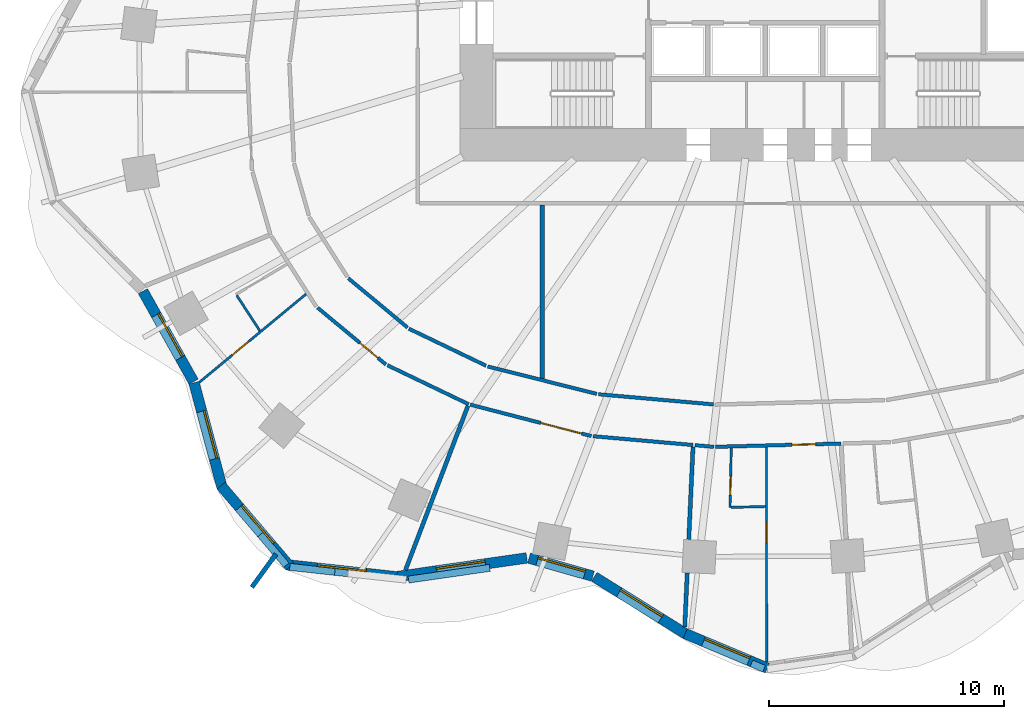
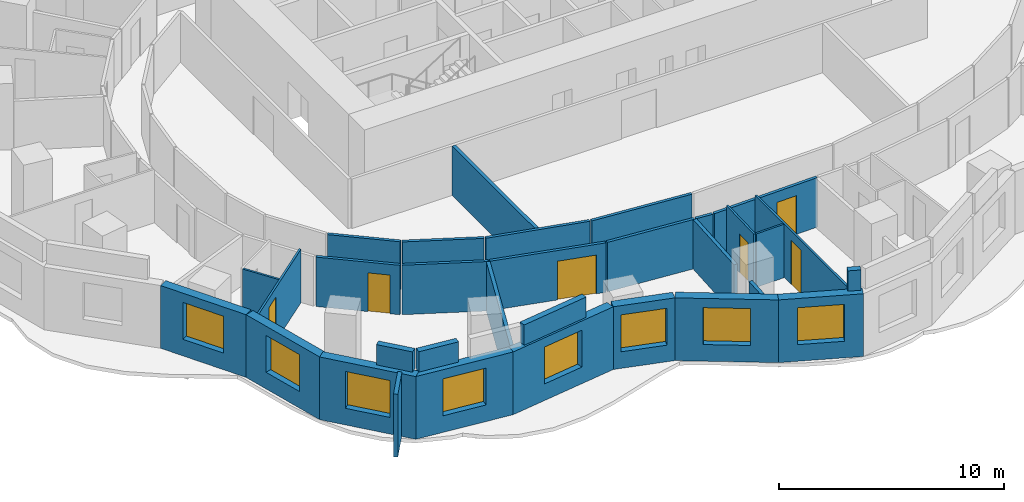
# One storey, part 3 of 11: 32 walls, 8 windows, 6 doors, 14 openings.
"""IFC4 building model written with IfcOpenShell, lengths in metres."""

from ifc_helpers import new_model, si_unit, direction, frame, frame_2d, origin, place, context, subcontext, project, spatial, rectangle, extrude, material, layer, layer_set, type_object, element, fill, save


model = new_model("IFC4")

# Units and contexts
model_context = context("Model", 3, precision=1e-05, world=origin(), true_north=direction((0.0, 1.0)))
body_context = subcontext(model_context, "Body", "Model", "MODEL_VIEW")
ifc_project = project(units=[si_unit("LENGTHUNIT", "METRE"), si_unit("AREAUNIT", "SQUARE_METRE"), si_unit("VOLUMEUNIT", "CUBIC_METRE"), si_unit("PLANEANGLEUNIT", "RADIAN"), si_unit("MASSUNIT", "GRAM", prefix="KILO")], contexts=[model_context])

# Site, building, storey
site_placement = place(None, origin())
site = spatial("IfcSite", under=ifc_project, at=site_placement, CompositionType="ELEMENT")
building_placement = place(site_placement, origin())
building = spatial("IfcBuilding", under=site, at=building_placement, Name="Rubra Terraces Tower", CompositionType="ELEMENT")
storey_placement = place(building_placement, frame((0.0, 0.0, 59.10009765625)))
storey = spatial("IfcBuildingStorey", under=building, at=storey_placement, Name="L12", CompositionType="ELEMENT", Elevation=59.10009765625)

# Walls
ifc_material_1 = material(Name="Twin plasterboard on staggered steel stud, acoustic mineral wool", Category="steel")
ifc_layer_1 = layer(ifc_material_1, 0.175048828125)
ifc_layer_set_1 = layer_set([ifc_layer_1], Name="Twin plasterboard on staggered steel stud, acoustic mineral wool")
wall_type_1 = type_object("IfcWallType", Name="ACOUSTIC PARTY WALL 175", PredefinedType="PARTITIONING", material=ifc_layer_set_1)
wall_1_placement = place(storey_placement, frame((-15.32666015625, -20.418701171875, 0.0), z_axis=(0.0, 0.0, 1.0), x_axis=(0.355489175899, 0.934680397686, 0.0)))
element("IfcWall", 1, at=wall_1_placement, inside=storey, type_object=wall_type_1, Name="PARTITION", PredefinedType="PARTITIONING", context=body_context, shape_type="SweptSolid", body=[
    extrude(rectangle(XDim=7.482421875, YDim=0.175048828125, at=frame_2d((3.7412109375, 0.0))), origin(), (0.0, 0.0, 1.0), 2.679931640625),
])
wall_2_placement = place(storey_placement, frame((-3.428466796875, -22.84521484375, 0.0), z_axis=(0.0, 0.0, 1.0), x_axis=(0.045783501408, 0.998951385703, 0.0)))
element("IfcWall", 2, at=wall_2_placement, inside=storey, type_object=wall_type_1, Name="PARTITION", PredefinedType="PARTITIONING", context=body_context, shape_type="SweptSolid", body=[
    extrude(rectangle(XDim=2.29833984375, YDim=0.175048828125, at=frame_2d((1.149169921875, 0.0))), origin(), (0.0, 0.0, 1.0), 2.679931640625),
])
wall_3_placement = place(storey_placement, frame((-3.257080078125, -19.110595703125, 0.0), z_axis=(0.0, 0.0, 1.0), x_axis=(0.045789384655, 0.998951116048, 0.0)))
element("IfcWall", 3, at=wall_3_placement, inside=storey, type_object=wall_type_1, Name="PARTITION", PredefinedType="PARTITIONING", context=body_context, shape_type="SweptSolid", body=[
    extrude(rectangle(XDim=3.945556640625, YDim=0.175048828125, at=frame_2d((1.97265625, 0.0))), origin(), (0.0, 0.0, 1.0), 2.679931640625),
])
wall_4_placement = place(storey_placement, frame((-9.5, -12.256591796875, 0.0), z_axis=(0.0, 0.0, 1.0), x_axis=(0.0, 1.0, 0.0)))
element("IfcWall", 4, at=wall_4_placement, inside=storey, type_object=wall_type_1, Name="PARTITION", PredefinedType="PARTITIONING", context=body_context, shape_type="SweptSolid", body=[
    extrude(rectangle(XDim=7.381591796875, YDim=0.175048828125, at=frame_2d((3.69091796875, 0.0))), origin(), (0.0, 0.0, 1.0), 2.679931640625),
])

# Wall, opening, window
ifc_material_2 = material(Name="Brick masonry red-brown", Category="masonry")
ifc_layer_2 = layer(ifc_material_2, 0.449951171875)
ifc_layer_set_2 = layer_set([ifc_layer_2], Name="Brick masonry red-brown")
wall_type_2 = type_object("IfcWallType", Name="Brick facade wall 450", PredefinedType="SOLIDWALL", material=ifc_layer_set_2)
wall_5_placement = place(storey_placement, frame((-26.513671875, -8.541015625, 0.0), z_axis=(0.0, 0.0, 1.0), x_axis=(0.488504028898, -0.87256163894, 0.0)))
wall_5 = element("IfcWall", 5, at=wall_5_placement, inside=storey, type_object=wall_type_2, Name="Facade wall L12 bay 23", PredefinedType="SOLIDWALL", context=body_context, shape_type="SweptSolid", body=[
    extrude(rectangle(XDim=4.41552734375, YDim=0.449951171875, at=frame_2d((2.207763671875, 0.0))), origin(), (0.0, 0.0, 1.0), 3.39990234375),
])
opening_1_placement = place(wall_5_placement, frame((1.15771484375, 0.0, 0.89990234375)))
opening_1 = element("IfcOpeningElement", 6, at=opening_1_placement, cuts=wall_5, Name="Opening W1", PredefinedType="OPENING", context=body_context, shape_type="SweptSolid", body=[
    extrude(rectangle(XDim=2.10009765625, YDim=2.0, at=frame_2d((1.050048828125, 1.0))), frame((0.0, 0.23486328125, 0.0), z_axis=(0.0, -1.0, 0.0), x_axis=(1.0, 0.0, 0.0)), (0.0, 0.0, 1.0), 0.469970703125),
])
ifc_material_3 = material(Name="Clear glass in aluminium frame", Category="aluminium")
window_type = type_object("IfcWindowType", Name="Fixed deep-set window 2100 x 2000", PartitioningType="SINGLE_PANEL", PredefinedType="WINDOW", material=ifc_material_3)
window_1_placement = place(opening_1_placement, origin())
window_1 = element("IfcWindow", 7, at=window_1_placement, inside=storey, type_object=window_type, Name="Window L12 bay 23", OverallHeight=2.0, OverallWidth=2.10009765625, PartitioningType="SINGLE_PANEL", PredefinedType="WINDOW", context=body_context, shape_type="SweptSolid", body=[
    extrude(rectangle(XDim=2.10009765625, YDim=2.0, at=frame_2d((1.050048828125, 1.0))), frame((0.0, 0.135009765625, 0.0), z_axis=(0.0, -1.0, 0.0), x_axis=(1.0, 0.0, 0.0)), (0.0, 0.0, 1.0), 0.06005859375),
])
fill(opening_1, window_1)

wall_6_placement = place(storey_placement, frame((-24.33740234375, -12.439453125, 0.0), z_axis=(0.0, 0.0, 1.0), x_axis=(0.258441377569, -0.966026942875, 0.0)))
wall_6 = element("IfcWall", 8, at=wall_6_placement, inside=storey, type_object=wall_type_2, Name="Facade wall L12 bay 24", PredefinedType="SOLIDWALL", context=body_context, shape_type="SweptSolid", body=[
    extrude(rectangle(XDim=4.6240234375, YDim=0.449951171875, at=frame_2d((2.31201171875, 0.0))), origin(), (0.0, 0.0, 1.0), 3.39990234375),
])
opening_2_placement = place(wall_6_placement, frame((1.26220703125, 0.0, 0.89990234375)))
opening_2 = element("IfcOpeningElement", 9, at=opening_2_placement, cuts=wall_6, Name="Opening W1", PredefinedType="OPENING", context=body_context, shape_type="SweptSolid", body=[
    extrude(rectangle(XDim=2.10009765625, YDim=2.0, at=frame_2d((1.050048828125, 1.0))), frame((0.0, 0.23486328125, 0.0), z_axis=(0.0, -1.0, 0.0), x_axis=(1.0, 0.0, 0.0)), (0.0, 0.0, 1.0), 0.469970703125),
])
window_2_placement = place(opening_2_placement, origin())
window_2 = element("IfcWindow", 10, at=window_2_placement, inside=storey, type_object=window_type, Name="Window L12 bay 24", OverallHeight=2.0, OverallWidth=2.10009765625, PartitioningType="SINGLE_PANEL", PredefinedType="WINDOW", context=body_context, shape_type="SweptSolid", body=[
    extrude(rectangle(XDim=2.10009765625, YDim=2.0, at=frame_2d((1.050048828125, 1.0))), frame((0.0, 0.135009765625, 0.0), z_axis=(0.0, -1.0, 0.0), x_axis=(1.0, 0.0, 0.0)), (0.0, 0.0, 1.0), 0.06005859375),
])
fill(opening_2, window_2)

wall_7_placement = place(storey_placement, frame((-23.186767578125, -16.8251953125, 0.0), z_axis=(0.0, 0.0, 1.0), x_axis=(0.648462985992, -0.761246186065, 0.0)))
wall_7 = element("IfcWall", 11, at=wall_7_placement, inside=storey, type_object=wall_type_2, Name="Facade wall L12 bay 25", PredefinedType="SOLIDWALL", context=body_context, shape_type="SweptSolid", body=[
    extrude(rectangle(XDim=4.53076171875, YDim=0.449951171875, at=frame_2d((2.265380859375, 0.0))), origin(), (0.0, 0.0, 1.0), 3.39990234375),
])
opening_3_placement = place(wall_7_placement, frame((1.21533203125, 0.0, 0.89990234375)))
opening_3 = element("IfcOpeningElement", 12, at=opening_3_placement, cuts=wall_7, Name="Opening W1", PredefinedType="OPENING", context=body_context, shape_type="SweptSolid", body=[
    extrude(rectangle(XDim=2.10009765625, YDim=2.0, at=frame_2d((1.050048828125, 1.0))), frame((0.0, 0.23486328125, 0.0), z_axis=(0.0, -1.0, 0.0), x_axis=(1.0, 0.0, 0.0)), (0.0, 0.0, 1.0), 0.469970703125),
])
window_3_placement = place(opening_3_placement, origin())
window_3 = element("IfcWindow", 13, at=window_3_placement, inside=storey, type_object=window_type, Name="Window L12 bay 25", OverallHeight=2.0, OverallWidth=2.10009765625, PartitioningType="SINGLE_PANEL", PredefinedType="WINDOW", context=body_context, shape_type="SweptSolid", body=[
    extrude(rectangle(XDim=2.10009765625, YDim=2.0, at=frame_2d((1.050048828125, 1.0))), frame((0.0, 0.135009765625, 0.0), z_axis=(0.0, -1.0, 0.0), x_axis=(1.0, 0.0, 0.0)), (0.0, 0.0, 1.0), 0.06005859375),
])
fill(opening_3, window_3)

wall_8_placement = place(storey_placement, frame((-20.3955078125, -20.1962890625, 0.0), z_axis=(0.0, 0.0, 1.0), x_axis=(0.994063142291, -0.108804729393, 0.0)))
wall_8 = element("IfcWall", 14, at=wall_8_placement, inside=storey, type_object=wall_type_2, Name="Facade wall L12 bay 26", PredefinedType="SOLIDWALL", context=body_context, shape_type="SweptSolid", body=[
    extrude(rectangle(XDim=4.727783203125, YDim=0.449951171875, at=frame_2d((2.36376953125, 0.0))), origin(), (0.0, 0.0, 1.0), 3.39990234375),
])
opening_4_placement = place(wall_8_placement, frame((1.31396484375, 0.0, 0.89990234375)))
opening_4 = element("IfcOpeningElement", 15, at=opening_4_placement, cuts=wall_8, Name="Opening W1", PredefinedType="OPENING", context=body_context, shape_type="SweptSolid", body=[
    extrude(rectangle(XDim=2.10009765625, YDim=2.0, at=frame_2d((1.050048828125, 1.0))), frame((0.0, 0.23486328125, 0.0), z_axis=(0.0, -1.0, 0.0), x_axis=(1.0, 0.0, 0.0)), (0.0, 0.0, 1.0), 0.469970703125),
])
window_4_placement = place(opening_4_placement, origin())
window_4 = element("IfcWindow", 16, at=window_4_placement, inside=storey, type_object=window_type, Name="Window L12 bay 26", OverallHeight=2.0, OverallWidth=2.10009765625, PartitioningType="SINGLE_PANEL", PredefinedType="WINDOW", context=body_context, shape_type="SweptSolid", body=[
    extrude(rectangle(XDim=2.10009765625, YDim=2.0, at=frame_2d((1.050048828125, 1.0))), frame((0.0, 0.135009765625, 0.0), z_axis=(0.0, -1.0, 0.0), x_axis=(1.0, 0.0, 0.0)), (0.0, 0.0, 1.0), 0.06005859375),
])
fill(opening_4, window_4)

wall_9_placement = place(storey_placement, frame((-15.752197265625, -20.71142578125, 0.0), z_axis=(0.0, 0.0, 1.0), x_axis=(0.989761192351, 0.142733255115, 0.0)))
wall_9 = element("IfcWall", 17, at=wall_9_placement, inside=storey, type_object=wall_type_2, Name="Facade wall L12 bay 27", PredefinedType="SOLIDWALL", context=body_context, shape_type="SweptSolid", body=[
    extrude(rectangle(XDim=5.653076171875, YDim=0.449951171875, at=frame_2d((2.82666015625, 0.0))), origin(), (0.0, 0.0, 1.0), 3.39990234375),
])
opening_5_placement = place(wall_9_placement, frame((1.776611328125, 0.0, 0.89990234375)))
opening_5 = element("IfcOpeningElement", 18, at=opening_5_placement, cuts=wall_9, Name="Opening W1", PredefinedType="OPENING", context=body_context, shape_type="SweptSolid", body=[
    extrude(rectangle(XDim=2.10009765625, YDim=2.0, at=frame_2d((1.050048828125, 1.0))), frame((0.0, 0.23486328125, 0.0), z_axis=(0.0, -1.0, 0.0), x_axis=(1.0, 0.0, 0.0)), (0.0, 0.0, 1.0), 0.469970703125),
])
window_5_placement = place(opening_5_placement, origin())
window_5 = element("IfcWindow", 19, at=window_5_placement, inside=storey, type_object=window_type, Name="Window L12 bay 27", OverallHeight=2.0, OverallWidth=2.10009765625, PartitioningType="SINGLE_PANEL", PredefinedType="WINDOW", context=body_context, shape_type="SweptSolid", body=[
    extrude(rectangle(XDim=2.10009765625, YDim=2.0, at=frame_2d((1.050048828125, 1.0))), frame((0.0, 0.135009765625, 0.0), z_axis=(0.0, -1.0, 0.0), x_axis=(1.0, 0.0, 0.0)), (0.0, 0.0, 1.0), 0.06005859375),
])
fill(opening_5, window_5)

wall_10_placement = place(storey_placement, frame((-10.063232421875, -19.910888671875, 0.0), z_axis=(0.0, 0.0, 1.0), x_axis=(0.961982029567, -0.273112751057, 0.0)))
wall_10 = element("IfcWall", 20, at=wall_10_placement, inside=storey, type_object=wall_type_2, Name="Facade wall L12 bay 28", PredefinedType="SOLIDWALL", context=body_context, shape_type="SweptSolid", body=[
    extrude(rectangle(XDim=2.827392578125, YDim=0.449951171875, at=frame_2d((1.41357421875, 0.0))), origin(), (0.0, 0.0, 1.0), 3.39990234375),
])
opening_6_placement = place(wall_10_placement, frame((0.36376953125, 0.0, 0.89990234375)))
opening_6 = element("IfcOpeningElement", 21, at=opening_6_placement, cuts=wall_10, Name="Opening W1", PredefinedType="OPENING", context=body_context, shape_type="SweptSolid", body=[
    extrude(rectangle(XDim=2.10009765625, YDim=2.0, at=frame_2d((1.050048828125, 1.0))), frame((0.0, 0.23486328125, 0.0), z_axis=(0.0, -1.0, 0.0), x_axis=(1.0, 0.0, 0.0)), (0.0, 0.0, 1.0), 0.469970703125),
])
window_6_placement = place(opening_6_placement, origin())
window_6 = element("IfcWindow", 22, at=window_6_placement, inside=storey, type_object=window_type, Name="Window L12 bay 28", OverallHeight=2.0, OverallWidth=2.10009765625, PartitioningType="SINGLE_PANEL", PredefinedType="WINDOW", context=body_context, shape_type="SweptSolid", body=[
    extrude(rectangle(XDim=2.10009765625, YDim=2.0, at=frame_2d((1.050048828125, 1.0))), frame((0.0, 0.135009765625, 0.0), z_axis=(0.0, -1.0, 0.0), x_axis=(1.0, 0.0, 0.0)), (0.0, 0.0, 1.0), 0.06005859375),
])
fill(opening_6, window_6)

wall_11_placement = place(storey_placement, frame((-7.28564453125, -20.70849609375, 0.0), z_axis=(0.0, 0.0, 1.0), x_axis=(0.848420894374, -0.529322194878, 0.0)))
wall_11 = element("IfcWall", 23, at=wall_11_placement, inside=storey, type_object=wall_type_2, Name="Facade wall L12 bay 29", PredefinedType="SOLIDWALL", context=body_context, shape_type="SweptSolid", body=[
    extrude(rectangle(XDim=4.60595703125, YDim=0.449951171875, at=frame_2d((2.302978515625, 0.0))), origin(), (0.0, 0.0, 1.0), 3.39990234375),
])
opening_7_placement = place(wall_11_placement, frame((1.2529296875, 0.0, 0.89990234375)))
opening_7 = element("IfcOpeningElement", 24, at=opening_7_placement, cuts=wall_11, Name="Opening W1", PredefinedType="OPENING", context=body_context, shape_type="SweptSolid", body=[
    extrude(rectangle(XDim=2.10009765625, YDim=2.0, at=frame_2d((1.050048828125, 1.0))), frame((0.0, 0.23486328125, 0.0), z_axis=(0.0, -1.0, 0.0), x_axis=(1.0, 0.0, 0.0)), (0.0, 0.0, 1.0), 0.469970703125),
])
window_7_placement = place(opening_7_placement, origin())
window_7 = element("IfcWindow", 25, at=window_7_placement, inside=storey, type_object=window_type, Name="Window L12 bay 29", OverallHeight=2.0, OverallWidth=2.10009765625, PartitioningType="SINGLE_PANEL", PredefinedType="WINDOW", context=body_context, shape_type="SweptSolid", body=[
    extrude(rectangle(XDim=2.10009765625, YDim=2.0, at=frame_2d((1.050048828125, 1.0))), frame((0.0, 0.135009765625, 0.0), z_axis=(0.0, -1.0, 0.0), x_axis=(1.0, 0.0, 0.0)), (0.0, 0.0, 1.0), 0.06005859375),
])
fill(opening_7, window_7)

wall_12_placement = place(storey_placement, frame((-3.409912109375, -23.130126953125, 0.0), z_axis=(0.0, 0.0, 1.0), x_axis=(0.921914994676, -0.387392233521, 0.0)))
wall_12 = element("IfcWall", 26, at=wall_12_placement, inside=storey, type_object=wall_type_2, Name="Facade wall L12 bay 30", PredefinedType="SOLIDWALL", context=body_context, shape_type="SweptSolid", body=[
    extrude(rectangle(XDim=3.793212890625, YDim=0.449951171875, at=frame_2d((1.896484375, 0.0))), origin(), (0.0, 0.0, 1.0), 3.39990234375),
])
opening_8_placement = place(wall_12_placement, frame((0.8466796875, 0.0, 0.89990234375)))
opening_8 = element("IfcOpeningElement", 27, at=opening_8_placement, cuts=wall_12, Name="Opening W1", PredefinedType="OPENING", context=body_context, shape_type="SweptSolid", body=[
    extrude(rectangle(XDim=2.10009765625, YDim=2.0, at=frame_2d((1.050048828125, 1.0))), frame((0.0, 0.23486328125, 0.0), z_axis=(0.0, -1.0, 0.0), x_axis=(1.0, 0.0, 0.0)), (0.0, 0.0, 1.0), 0.469970703125),
])
window_8_placement = place(opening_8_placement, origin())
window_8 = element("IfcWindow", 28, at=window_8_placement, inside=storey, type_object=window_type, Name="Window L12 bay 30", OverallHeight=2.0, OverallWidth=2.10009765625, PartitioningType="SINGLE_PANEL", PredefinedType="WINDOW", context=body_context, shape_type="SweptSolid", body=[
    extrude(rectangle(XDim=2.10009765625, YDim=2.0, at=frame_2d((1.050048828125, 1.0))), frame((0.0, 0.135009765625, 0.0), z_axis=(0.0, -1.0, 0.0), x_axis=(1.0, 0.0, 0.0)), (0.0, 0.0, 1.0), 0.06005859375),
])
fill(opening_8, window_8)

# Walls
ifc_layer_3 = layer(ifc_material_2, 0.300048828125)
ifc_layer_set_3 = layer_set([ifc_layer_3], Name="Brick masonry red-brown")
wall_type_3 = type_object("IfcWallType", Name="Brick parapet 300", PredefinedType="PARAPET", material=ifc_layer_set_3)
wall_13_placement = place(storey_placement, frame((-21.5126953125, -18.906005859375, 3.599853515625), z_axis=(0.0, 0.0, 1.0), x_axis=(0.648451151452, -0.761256267088, 0.0)))
element("IfcWall", 29, at=wall_13_placement, inside=storey, type_object=wall_type_3, Name="Parapet L12 bay 25", PredefinedType="PARAPET", context=body_context, shape_type="SweptSolid", body=[
    extrude(rectangle(XDim=1.7119140625, YDim=0.300048828125, at=frame_2d((0.85595703125, 0.0))), origin(), (0.0, 0.0, 1.0), 1.10009765625),
])
wall_14_placement = place(storey_placement, frame((-20.25537109375, -20.287109375, 3.599853515625), z_axis=(0.0, 0.0, 1.0), x_axis=(0.994062724773, -0.108808543863, 0.0)))
element("IfcWall", 30, at=wall_14_placement, inside=storey, type_object=wall_type_3, Name="Parapet L12 bay 26", PredefinedType="PARAPET", context=body_context, shape_type="SweptSolid", body=[
    extrude(rectangle(XDim=1.931884765625, YDim=0.300048828125, at=frame_2d((0.9658203125, 0.0))), origin(), (0.0, 0.0, 1.0), 1.10009765625),
])
wall_15_placement = place(storey_placement, frame((-15.201171875, -20.827880859375, 3.599853515625), z_axis=(0.0, 0.0, 1.0), x_axis=(0.989761856496, 0.142728649634, 0.0)))
element("IfcWall", 31, at=wall_15_placement, inside=storey, type_object=wall_type_3, Name="Parapet L12 bay 27", PredefinedType="PARAPET", context=body_context, shape_type="SweptSolid", body=[
    extrude(rectangle(XDim=3.503173828125, YDim=0.300048828125, at=frame_2d((1.75146484375, 0.0))), origin(), (0.0, 0.0, 1.0), 1.10009765625),
])
wall_16_placement = place(storey_placement, frame((-0.585693359375, -24.398193359375, 3.599853515625), z_axis=(0.0, 0.0, 1.0), x_axis=(0.921949320844, -0.387310534062, 0.0)))
element("IfcWall", 32, at=wall_16_placement, inside=storey, type_object=wall_type_3, Name="Parapet L12 bay 30", PredefinedType="PARAPET", context=body_context, shape_type="SweptSolid", body=[
    extrude(rectangle(XDim=0.5849609375, YDim=0.300048828125, at=frame_2d((0.29248046875, 0.0))), origin(), (0.0, 0.0, 1.0), 1.10009765625),
])
ifc_layer_4 = layer(ifc_material_2, 0.199951171875)
ifc_layer_set_4 = layer_set([ifc_layer_4], Name="Brick masonry red-brown")
wall_type_4 = type_object("IfcWallType", Name="Brick wind fin 200", PredefinedType="SOLIDWALL", material=ifc_layer_set_4)
wall_17_placement = place(storey_placement, frame((-20.845947265625, -19.739013671875, 0.0), z_axis=(0.0, 0.0, 1.0), x_axis=(-0.587607490034, -0.809146116382, 0.0)))
element("IfcWall", 33, at=wall_17_placement, inside=storey, type_object=wall_type_4, Name="Wind fin L12 15", PredefinedType="SOLIDWALL", context=body_context, shape_type="SweptSolid", body=[
    extrude(rectangle(XDim=1.75, YDim=0.199951171875, at=frame_2d((0.875, 0.0))), origin(), (0.0, 0.0, 1.0), 3.39990234375),
])

# Wall, opening, door
ifc_material_4 = material(Name="Plasterboard on steel stud, mineral wool infill", Category="steel")
ifc_layer_5 = layer(ifc_material_4, 0.14990234375)
ifc_layer_set_5 = layer_set([ifc_layer_5], Name="Plasterboard on steel stud, mineral wool infill")
wall_type_5 = type_object("IfcWallType", Name="CORRIDOR PARTITION 150", PredefinedType="PARTITIONING", material=ifc_layer_set_5)
wall_18_placement = place(storey_placement, frame((-19.07421875, -9.2412109375, 0.0), z_axis=(0.0, 0.0, 1.0), x_axis=(0.768812565259, -0.639474189863, 0.0)))
wall_18 = element("IfcWall", 34, at=wall_18_placement, inside=storey, type_object=wall_type_5, Name="PARTITION", PredefinedType="PARTITIONING", context=body_context, shape_type="SweptSolid", body=[
    extrude(rectangle(XDim=3.788330078125, YDim=0.14990234375, at=frame_2d((1.89404296875, 0.0))), origin(), (0.0, 0.0, 1.0), 2.679931640625),
])
opening_9_placement = place(wall_18_placement, frame((2.35009765625, 0.0, 0.0)))
opening_9 = element("IfcOpeningElement", 35, at=opening_9_placement, cuts=wall_18, Name="Opening 12-112", PredefinedType="OPENING", context=body_context, shape_type="SweptSolid", body=[
    extrude(rectangle(XDim=1.0, YDim=2.10009765625, at=frame_2d((0.5, 1.050048828125))), frame((0.0, 0.0849609375, 0.0), z_axis=(0.0, -1.0, 0.0), x_axis=(1.0, 0.0, 0.0)), (0.0, 0.0, 1.0), 0.169921875),
])
ifc_material_5 = material(Name="Painted timber door leaf", Category="wood")
door_type_1 = type_object("IfcDoorType", Name="ROOM DOOR 1000 X 2100", OperationType="SINGLE_SWING_LEFT", PredefinedType="DOOR", material=ifc_material_5)
door_1_placement = place(opening_9_placement, origin())
door_1 = element("IfcDoor", 36, at=door_1_placement, inside=storey, type_object=door_type_1, Name="DOOR 12-112", OperationType="SINGLE_SWING_RIGHT", OverallHeight=2.10009765625, OverallWidth=1.0, PredefinedType="DOOR", context=body_context, shape_type="SweptSolid", body=[
    extrude(rectangle(XDim=1.0, YDim=2.10009765625, at=frame_2d((0.5, 1.050048828125))), frame((0.0, 0.02490234375, 0.0), z_axis=(0.0, -1.0, 0.0), x_axis=(1.0, 0.0, 0.0)), (0.0, 0.0, 1.0), 0.050048828125),
])
fill(opening_9, door_1)

# Wall
wall_19_placement = place(storey_placement, frame((-16.093994140625, -11.6962890625, 0.0), z_axis=(0.0, 0.0, 1.0), x_axis=(0.901437528344, -0.432909208141, 0.0)))
element("IfcWall", 37, at=wall_19_placement, inside=storey, type_object=wall_type_5, Name="PARTITION", PredefinedType="PARTITIONING", context=body_context, shape_type="SweptSolid", body=[
    extrude(rectangle(XDim=3.83154296875, YDim=0.14990234375, at=frame_2d((1.915771484375, 0.0))), origin(), (0.0, 0.0, 1.0), 2.679931640625),
])

# Wall, opening, door
wall_20_placement = place(storey_placement, frame((-12.5673828125, -13.373779296875, 0.0), z_axis=(0.0, 0.0, 1.0), x_axis=(0.96798041907, -0.251025712423, 0.0)))
wall_20 = element("IfcWall", 38, at=wall_20_placement, inside=storey, type_object=wall_type_5, Name="PARTITION", PredefinedType="PARTITIONING", context=body_context, shape_type="SweptSolid", body=[
    extrude(rectangle(XDim=5.33251953125, YDim=0.14990234375, at=frame_2d((2.666259765625, 0.0))), origin(), (0.0, 0.0, 1.0), 2.679931640625),
])
opening_10_placement = place(wall_20_placement, frame((3.10009765625, 0.0, 0.0)))
opening_10 = element("IfcOpeningElement", 39, at=opening_10_placement, cuts=wall_20, Name="Opening 12-113", PredefinedType="OPENING", context=body_context, shape_type="SweptSolid", body=[
    extrude(rectangle(XDim=1.800048828125, YDim=2.10009765625, at=frame_2d((0.89990234375, 1.050048828125))), frame((0.0, 0.0849609375, 0.0), z_axis=(0.0, -1.0, 0.0), x_axis=(1.0, 0.0, 0.0)), (0.0, 0.0, 1.0), 0.169921875),
])
ifc_material_6 = material(Name="Painted timber door leaf, double", Category="wood")
door_type_2 = type_object("IfcDoorType", Name="ROOM DOUBLE DOOR 1800 X 2100", OperationType="DOUBLE_DOOR_SINGLE_SWING", PredefinedType="DOOR", material=ifc_material_6)
door_2_placement = place(opening_10_placement, origin())
door_2 = element("IfcDoor", 40, at=door_2_placement, inside=storey, type_object=door_type_2, Name="DOOR 12-113", OperationType="DOUBLE_DOOR_SINGLE_SWING", OverallHeight=2.10009765625, OverallWidth=1.800048828125, PredefinedType="DOOR", context=body_context, shape_type="SweptSolid", body=[
    extrude(rectangle(XDim=1.800048828125, YDim=2.10009765625, at=frame_2d((0.89990234375, 1.050048828125))), frame((0.0, 0.02490234375, 0.0), z_axis=(0.0, -1.0, 0.0), x_axis=(1.0, 0.0, 0.0)), (0.0, 0.0, 1.0), 0.050048828125),
])
fill(opening_10, door_2)

# Walls
wall_21_placement = place(storey_placement, frame((-7.330810546875, -14.718994140625, 0.0), z_axis=(0.0, 0.0, 1.0), x_axis=(0.996138963942, -0.087790458003, 0.0)))
element("IfcWall", 41, at=wall_21_placement, inside=storey, type_object=wall_type_5, Name="PARTITION", PredefinedType="PARTITIONING", context=body_context, shape_type="SweptSolid", body=[
    extrude(rectangle(XDim=4.2744140625, YDim=0.14990234375, at=frame_2d((2.13720703125, 0.0))), origin(), (0.0, 0.0, 1.0), 2.679931640625),
])
wall_22_placement = place(storey_placement, frame((-2.998291015625, -15.100830078125, 0.0), z_axis=(0.0, 0.0, 1.0), x_axis=(0.996142993613, -0.087744722213, 0.0)))
element("IfcWall", 42, at=wall_22_placement, inside=storey, type_object=wall_type_5, Name="PARTITION", PredefinedType="PARTITIONING", context=body_context, shape_type="SweptSolid", body=[
    extrude(rectangle(XDim=0.8125, YDim=0.14990234375, at=frame_2d((0.40625, 0.0))), origin(), (0.0, 0.0, 1.0), 2.679931640625),
])

# Wall, opening, door
wall_23_placement = place(storey_placement, frame((-2.114013671875, -15.170166015625, 0.0), z_axis=(0.0, 0.0, 1.0), x_axis=(0.99966176809, 0.02600671875, 0.0)))
wall_23 = element("IfcWall", 43, at=wall_23_placement, inside=storey, type_object=wall_type_5, Name="PARTITION", PredefinedType="PARTITIONING", context=body_context, shape_type="SweptSolid", body=[
    extrude(rectangle(XDim=5.350830078125, YDim=0.14990234375, at=frame_2d((2.67529296875, 0.0))), origin(), (0.0, 0.0, 1.0), 2.679931640625),
])
opening_11_placement = place(wall_23_placement, frame((3.260009765625, 0.0, 0.0)))
opening_11 = element("IfcOpeningElement", 44, at=opening_11_placement, cuts=wall_23, Name="Opening 12-116", PredefinedType="OPENING", context=body_context, shape_type="SweptSolid", body=[
    extrude(rectangle(XDim=1.0, YDim=2.10009765625, at=frame_2d((0.5, 1.050048828125))), frame((0.0, 0.0849609375, 0.0), z_axis=(0.0, -1.0, 0.0), x_axis=(1.0, 0.0, 0.0)), (0.0, 0.0, 1.0), 0.169921875),
])
door_3_placement = place(opening_11_placement, origin())
door_3 = element("IfcDoor", 45, at=door_3_placement, inside=storey, type_object=door_type_1, Name="DOOR 12-116", OperationType="SINGLE_SWING_RIGHT", OverallHeight=2.10009765625, OverallWidth=1.0, PredefinedType="DOOR", context=body_context, shape_type="SweptSolid", body=[
    extrude(rectangle(XDim=1.0, YDim=2.10009765625, at=frame_2d((0.5, 1.050048828125))), frame((0.0, 0.02490234375, 0.0), z_axis=(0.0, -1.0, 0.0), x_axis=(1.0, 0.0, 0.0)), (0.0, 0.0, 1.0), 0.050048828125),
])
fill(opening_11, door_3)

# Walls
wall_24_placement = place(storey_placement, frame((-2.207763671875, -13.363525390625, 0.0), z_axis=(0.0, 0.0, 1.0), x_axis=(-0.996134962793, 0.087835846335, 0.0)))
element("IfcWall", 46, at=wall_24_placement, inside=storey, type_object=wall_type_5, Name="PARTITION", PredefinedType="PARTITIONING", context=body_context, shape_type="SweptSolid", body=[
    extrude(rectangle(XDim=4.9169921875, YDim=0.14990234375, at=frame_2d((2.45849609375, 0.0))), origin(), (0.0, 0.0, 1.0), 2.679931640625),
])
wall_25_placement = place(storey_placement, frame((-7.178466796875, -12.91357421875, 0.0), z_axis=(0.0, 0.0, 1.0), x_axis=(-0.969983523639, 0.243170647628, 0.0)))
element("IfcWall", 47, at=wall_25_placement, inside=storey, type_object=wall_type_5, Name="PARTITION", PredefinedType="PARTITIONING", context=body_context, shape_type="SweptSolid", body=[
    extrude(rectangle(XDim=4.7939453125, YDim=0.14990234375, at=frame_2d((2.39697265625, 0.0))), origin(), (0.0, 0.0, 1.0), 2.679931640625),
])
wall_26_placement = place(storey_placement, frame((-11.896240234375, -11.71533203125, 0.0), z_axis=(0.0, 0.0, 1.0), x_axis=(-0.901466605799, 0.432848655571, 0.0)))
element("IfcWall", 48, at=wall_26_placement, inside=storey, type_object=wall_type_5, Name="PARTITION", PredefinedType="PARTITIONING", context=body_context, shape_type="SweptSolid", body=[
    extrude(rectangle(XDim=3.644775390625, YDim=0.14990234375, at=frame_2d((1.822265625, 0.0))), origin(), (0.0, 0.0, 1.0), 2.679931640625),
])
wall_27_placement = place(storey_placement, frame((-15.239501953125, -10.089599609375, 0.0), z_axis=(0.0, 0.0, 1.0), x_axis=(-0.768799656378, 0.639489709341, 0.0)))
element("IfcWall", 49, at=wall_27_placement, inside=storey, type_object=wall_type_5, Name="PARTITION", PredefinedType="PARTITIONING", context=body_context, shape_type="SweptSolid", body=[
    extrude(rectangle(XDim=3.28515625, YDim=0.14990234375, at=frame_2d((1.642578125, 0.0))), origin(), (0.0, 0.0, 1.0), 2.679931640625),
])

# Wall, opening, door
ifc_material_7 = material(Name="Plasterboard on steel stud", Category="steel")
ifc_layer_6 = layer(ifc_material_7, 0.10009765625)
ifc_layer_set_6 = layer_set([ifc_layer_6], Name="Plasterboard on steel stud")
wall_type_6 = type_object("IfcWallType", Name="ROOM PARTITION 100", PredefinedType="PARTITIONING", material=ifc_layer_set_6)
wall_28_placement = place(storey_placement, frame((-24.109619140625, -12.42041015625, 0.0), z_axis=(0.0, 0.0, 1.0), x_axis=(0.770727693234, 0.637164674855, 0.0)))
wall_28 = element("IfcWall", 50, at=wall_28_placement, inside=storey, type_object=wall_type_6, Name="PARTITION", PredefinedType="PARTITIONING", context=body_context, shape_type="SweptSolid", body=[
    extrude(rectangle(XDim=5.90234375, YDim=0.10009765625, at=frame_2d((2.951171875, 0.0))), origin(), (0.0, 0.0, 1.0), 2.89794921875),
])
opening_12_placement = place(wall_28_placement, frame((1.826904296875, 0.0, 0.0)))
opening_12 = element("IfcOpeningElement", 51, at=opening_12_placement, cuts=wall_28, Name="Opening 12-111", PredefinedType="OPENING", context=body_context, shape_type="SweptSolid", body=[
    extrude(rectangle(XDim=0.89990234375, YDim=2.39990234375, at=frame_2d((0.449951171875, 1.199951171875))), frame((0.0, 0.06005859375, 0.0), z_axis=(0.0, -1.0, 0.0), x_axis=(1.0, 0.0, 0.0)), (0.0, 0.0, 1.0), 0.1201171875),
])
ifc_material_8 = material(Name="Veneered timber door leaf, fire-rated", Category="wood")
door_type_3 = type_object("IfcDoorType", Name="SUITE ENTRANCE DOOR 900 X 2400", OperationType="SINGLE_SWING_LEFT", PredefinedType="DOOR", material=ifc_material_8)
door_4_placement = place(opening_12_placement, origin())
door_4 = element("IfcDoor", 52, at=door_4_placement, inside=storey, type_object=door_type_3, Name="DOOR 12-111", OperationType="SINGLE_SWING_LEFT", OverallHeight=2.39990234375, OverallWidth=0.89990234375, PredefinedType="DOOR", context=body_context, shape_type="SweptSolid", body=[
    extrude(rectangle(XDim=0.89990234375, YDim=2.39990234375, at=frame_2d((0.449951171875, 1.199951171875))), frame((0.0, 0.02490234375, 0.0), z_axis=(0.0, -1.0, 0.0), x_axis=(1.0, 0.0, 0.0)), (0.0, 0.0, 1.0), 0.050048828125),
])
fill(opening_12, door_4)

# Wall
wall_29_placement = place(storey_placement, frame((-22.517578125, -8.71630859375, 0.0), z_axis=(0.0, 0.0, 1.0), x_axis=(0.545759443789, -0.837941901038, 0.0)))
element("IfcWall", 53, at=wall_29_placement, inside=storey, type_object=wall_type_6, Name="PARTITION", PredefinedType="PARTITIONING", context=body_context, shape_type="SweptSolid", body=[
    extrude(rectangle(XDim=1.80224609375, YDim=0.10009765625, at=frame_2d((0.901123046875, 0.0))), origin(), (0.0, 0.0, 1.0), 2.89794921875),
])

# Wall, opening, door
wall_30_placement = place(storey_placement, frame((0.058837890625, -24.33935546875, 0.0), z_axis=(0.0, 0.0, 1.0), x_axis=(-0.000506923443, 0.999999871514, 0.0)))
wall_30 = element("IfcWall", 54, at=wall_30_placement, inside=storey, type_object=wall_type_6, Name="PARTITION", PredefinedType="PARTITIONING", context=body_context, shape_type="SweptSolid", body=[
    extrude(rectangle(XDim=9.150634765625, YDim=0.10009765625, at=frame_2d((4.5751953125, 0.0))), origin(), (0.0, 0.0, 1.0), 2.89794921875),
])
opening_13_placement = place(wall_30_placement, frame((5.075927734375, 0.0, 0.0)))
opening_13 = element("IfcOpeningElement", 55, at=opening_13_placement, cuts=wall_30, Name="Opening 12-115", PredefinedType="OPENING", context=body_context, shape_type="SweptSolid", body=[
    extrude(rectangle(XDim=0.89990234375, YDim=2.39990234375, at=frame_2d((0.449951171875, 1.199951171875))), frame((0.0, 0.06005859375, 0.0), z_axis=(0.0, -1.0, 0.0), x_axis=(1.0, 0.0, 0.0)), (0.0, 0.0, 1.0), 0.1201171875),
])
door_5_placement = place(opening_13_placement, origin())
door_5 = element("IfcDoor", 56, at=door_5_placement, inside=storey, type_object=door_type_3, Name="DOOR 12-115", OperationType="SINGLE_SWING_LEFT", OverallHeight=2.39990234375, OverallWidth=0.89990234375, PredefinedType="DOOR", context=body_context, shape_type="SweptSolid", body=[
    extrude(rectangle(XDim=0.89990234375, YDim=2.39990234375, at=frame_2d((0.449951171875, 1.199951171875))), frame((0.0, 0.02490234375, 0.0), z_axis=(0.0, -1.0, 0.0), x_axis=(1.0, 0.0, 0.0)), (0.0, 0.0, 1.0), 0.050048828125),
])
fill(opening_13, door_5)

wall_31_placement = place(storey_placement, frame((-1.447021484375, -15.227783203125, 0.0), z_axis=(0.0, 0.0, 1.0), x_axis=(-0.02165836135, -0.99976543018, 0.0)))
wall_31 = element("IfcWall", 57, at=wall_31_placement, inside=storey, type_object=wall_type_6, Name="PARTITION", PredefinedType="PARTITIONING", context=body_context, shape_type="SweptSolid", body=[
    extrude(rectangle(XDim=2.52490234375, YDim=0.10009765625, at=frame_2d((1.262451171875, 0.0))), origin(), (0.0, 0.0, 1.0), 2.89794921875),
])
opening_14_placement = place(wall_31_placement, frame((1.199951171875, 0.0, 0.0)))
opening_14 = element("IfcOpeningElement", 58, at=opening_14_placement, cuts=wall_31, Name="Opening 12-114", PredefinedType="OPENING", context=body_context, shape_type="SweptSolid", body=[
    extrude(rectangle(XDim=0.800048828125, YDim=2.10009765625, at=frame_2d((0.39990234375, 1.050048828125))), frame((0.0, 0.06005859375, 0.0), z_axis=(0.0, -1.0, 0.0), x_axis=(1.0, 0.0, 0.0)), (0.0, 0.0, 1.0), 0.1201171875),
])
door_type_4 = type_object("IfcDoorType", Name="BATHROOM DOOR 800 X 2100", OperationType="SINGLE_SWING_LEFT", PredefinedType="DOOR", material=ifc_material_5)
door_6_placement = place(opening_14_placement, origin())
door_6 = element("IfcDoor", 59, at=door_6_placement, inside=storey, type_object=door_type_4, Name="DOOR 12-114", OperationType="SINGLE_SWING_LEFT", OverallHeight=2.10009765625, OverallWidth=0.800048828125, PredefinedType="DOOR", context=body_context, shape_type="SweptSolid", body=[
    extrude(rectangle(XDim=0.800048828125, YDim=2.10009765625, at=frame_2d((0.39990234375, 1.050048828125))), frame((0.0, 0.02490234375, 0.0), z_axis=(0.0, -1.0, 0.0), x_axis=(1.0, 0.0, 0.0)), (0.0, 0.0, 1.0), 0.050048828125),
])
fill(opening_14, door_6)

# Wall
wall_32_placement = place(storey_placement, frame((-1.451904296875, -17.7509765625, 0.0), z_axis=(0.0, 0.0, 1.0), x_axis=(0.999696887378, 0.024619775916, 0.0)))
element("IfcWall", 60, at=wall_32_placement, inside=storey, type_object=wall_type_6, Name="PARTITION", PredefinedType="PARTITIONING", context=body_context, shape_type="SweptSolid", body=[
    extrude(rectangle(XDim=1.457763671875, YDim=0.10009765625, at=frame_2d((0.72900390625, 0.0))), origin(), (0.0, 0.0, 1.0), 2.89794921875),
])

save(model, "model.ifc")
